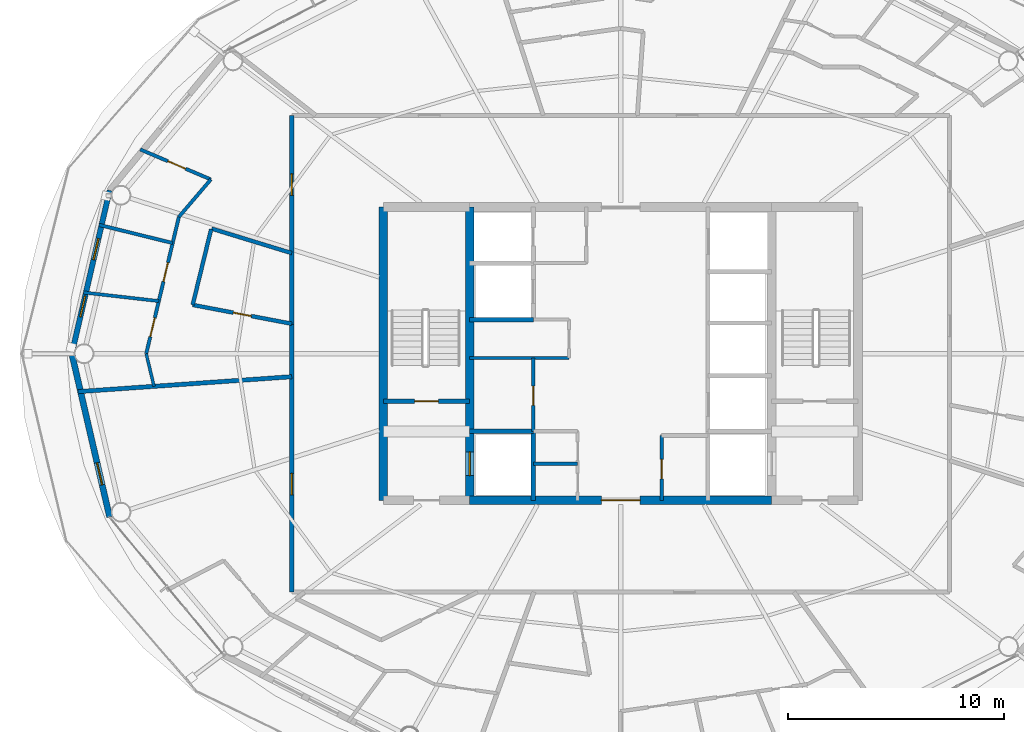
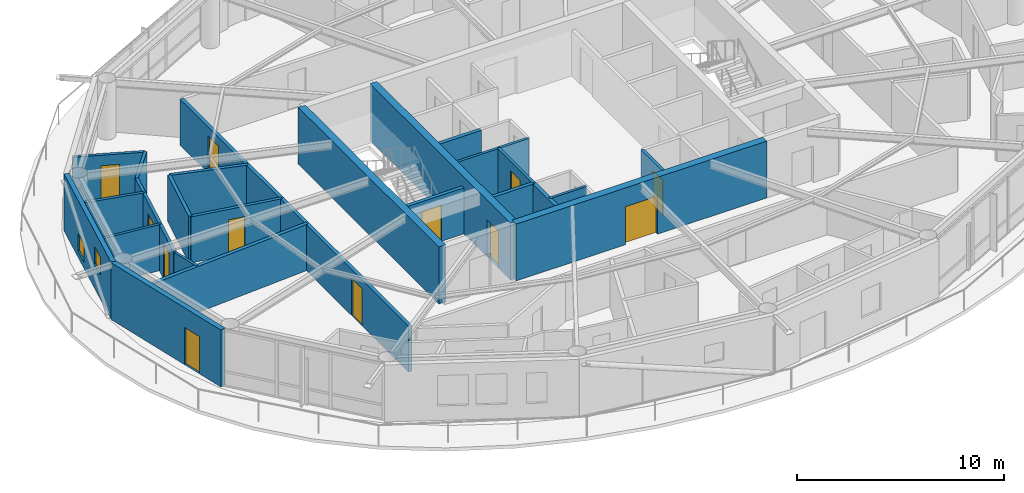
# One storey, part 16 of 23: 25 walls, 12 doors, 2 windows, 14 openings.
"""IFC4 building model written with IfcOpenShell, lengths in metres."""

from ifc_helpers import new_model, si_unit, direction, frame, frame_2d, origin, place, context, subcontext, project, spatial, rectangle, extrude, material, layer, layer_set, type_object, element, fill, save


model = new_model("IFC4")

# Units and contexts
model_context = context("Model", 3, precision=1e-05, world=origin(), true_north=direction((0.0, 1.0)))
body_context = subcontext(model_context, "Body", "Model", "MODEL_VIEW")
ifc_project = project(units=[si_unit("LENGTHUNIT", "METRE"), si_unit("AREAUNIT", "SQUARE_METRE"), si_unit("VOLUMEUNIT", "CUBIC_METRE"), si_unit("PLANEANGLEUNIT", "RADIAN"), si_unit("MASSUNIT", "GRAM", prefix="KILO")], contexts=[model_context])

# Site, building, storey
site_placement = place(None, origin())
site = spatial("IfcSite", under=ifc_project, at=site_placement, CompositionType="ELEMENT")
building_placement = place(site_placement, origin())
building = spatial("IfcBuilding", under=site, at=building_placement, Name="Sarneth Arch Tower", CompositionType="ELEMENT")
storey_placement = place(building_placement, frame((0.0, 0.0, 224.39990234375)))
storey = spatial("IfcBuildingStorey", under=building, at=storey_placement, Name="L57", CompositionType="ELEMENT", Elevation=224.39990234375)

# Wall, opening, door
ifc_material_1 = material(Name="Concrete C50/60", Category="concrete")
ifc_layer_1 = layer(ifc_material_1, 0.39990234375)
ifc_layer_set_1 = layer_set([ifc_layer_1], Name="Concrete C50/60")
wall_type_1 = type_object("IfcWallType", Name="WALL-CORE-400", PredefinedType="SHEAR", material=ifc_layer_set_1)
wall_1_placement = place(storey_placement, frame((41.0, 35.199951171875, 0.0), z_axis=(0.0, 0.0, 1.0), x_axis=(1.0, 0.0, 0.0)))
wall_1 = element("IfcWall", 1, at=wall_1_placement, inside=storey, type_object=wall_type_1, Name="L57 Core shear wall S-M", PredefinedType="SHEAR", context=body_context, shape_type="SweptSolid", body=[
    extrude(rectangle(XDim=14.0, YDim=0.39990234375, at=frame_2d((7.0, 0.0))), origin(), (0.0, 0.0, 1.0), 3.360107421875),
])
opening_1_placement = place(wall_1_placement, frame((6.10009765625, 0.0, 0.0)))
opening_1 = element("IfcOpeningElement", 2, at=opening_1_placement, cuts=wall_1, Name="Opening FD-01", PredefinedType="OPENING", context=body_context, shape_type="SweptSolid", body=[
    extrude(rectangle(XDim=1.800048828125, YDim=2.25, at=frame_2d((0.89990234375, 1.125))), frame((0.0, 0.2099609375, 0.0), z_axis=(0.0, -1.0, 0.0), x_axis=(1.0, 0.0, 0.0)), (0.0, 0.0, 1.0), 0.419921875),
])
ifc_material_2 = material(Name="Galvanised Steel S275 fire door set", Category="steel")
door_type_1 = type_object("IfcDoorType", Name="DR-FD90-1800", OperationType="DOUBLE_DOOR_SINGLE_SWING", PredefinedType="DOOR", material=ifc_material_2)
door_1_placement = place(opening_1_placement, origin())
door_1 = element("IfcDoor", 3, at=door_1_placement, inside=storey, type_object=door_type_1, Name="L57 Central lift lobby south door", OperationType="DOUBLE_DOOR_SINGLE_SWING", OverallHeight=2.25, OverallWidth=1.800048828125, PredefinedType="DOOR", context=body_context, shape_type="SweptSolid", body=[
    extrude(rectangle(XDim=1.800048828125, YDim=2.25, at=frame_2d((0.89990234375, 1.125))), frame((0.0, 0.02490234375, 0.0), z_axis=(0.0, -1.0, 0.0), x_axis=(1.0, 0.0, 0.0)), (0.0, 0.0, 1.0), 0.050048828125),
])
fill(opening_1, door_1)

# Wall
wall_2_placement = place(storey_placement, frame((37.0, 35.199951171875, 0.0), z_axis=(0.0, 0.0, 1.0), x_axis=(0.0, 1.0, 0.0)))
element("IfcWall", 4, at=wall_2_placement, inside=storey, type_object=wall_type_1, Name="L57 Core shear wall W", PredefinedType="SHEAR", context=body_context, shape_type="SweptSolid", body=[
    extrude(rectangle(XDim=13.60009765625, YDim=0.39990234375, at=frame_2d((6.800048828125, 0.0))), origin(), (0.0, 0.0, 1.0), 3.360107421875),
])

# Wall, opening, door
wall_3_placement = place(storey_placement, frame((41.0, 35.199951171875, 0.0), z_axis=(0.0, 0.0, 1.0), x_axis=(0.0, 1.0, 0.0)))
wall_3 = element("IfcWall", 5, at=wall_3_placement, inside=storey, type_object=wall_type_1, Name="L57 Core shear wall WEB-W", PredefinedType="SHEAR", context=body_context, shape_type="SweptSolid", body=[
    extrude(rectangle(XDim=13.60009765625, YDim=0.39990234375, at=frame_2d((6.800048828125, 0.0))), origin(), (0.0, 0.0, 1.0), 3.360107421875),
])
opening_2_placement = place(wall_3_placement, frame((1.14990234375, 0.0, 0.0)))
opening_2 = element("IfcOpeningElement", 6, at=opening_2_placement, cuts=wall_3, Name="Opening LD-1", PredefinedType="OPENING", context=body_context, shape_type="SweptSolid", body=[
    extrude(rectangle(XDim=1.10009765625, YDim=2.199951171875, at=frame_2d((0.550048828125, 1.10009765625))), frame((0.0, 0.2099609375, 0.0), z_axis=(0.0, -1.0, 0.0), x_axis=(1.0, 0.0, 0.0)), (0.0, 0.0, 1.0), 0.419921875),
])
ifc_material_3 = material(Name="Brushed Stainless Steel 304 lift landing door", Category="steel")
door_type_2 = type_object("IfcDoorType", Name="DR-LIFT-SLIDE-1100", OperationType="SLIDING_TO_LEFT", PredefinedType="DOOR", material=ifc_material_3)
door_2_placement = place(opening_2_placement, origin())
door_2 = element("IfcDoor", 7, at=door_2_placement, inside=storey, type_object=door_type_2, Name="L57 Firefighting lift landing door FL-1", OperationType="SLIDING_TO_LEFT", OverallHeight=2.199951171875, OverallWidth=1.10009765625, PredefinedType="DOOR", context=body_context, shape_type="SweptSolid", body=[
    extrude(rectangle(XDim=1.10009765625, YDim=2.199951171875, at=frame_2d((0.550048828125, 1.10009765625))), frame((0.0, 0.02490234375, 0.0), z_axis=(0.0, -1.0, 0.0), x_axis=(1.0, 0.0, 0.0)), (0.0, 0.0, 1.0), 0.050048828125),
])
fill(opening_2, door_2)

ifc_material_4 = material(Name="Double steel-stud corridor fire wall", Category="steel")
ifc_layer_2 = layer(ifc_material_4, 0.18994140625)
ifc_layer_set_2 = layer_set([ifc_layer_2], Name="Double steel-stud corridor fire wall")
wall_type_2 = type_object("IfcWallType", Name="WALL-CORR-190", PredefinedType="PARTITIONING", material=ifc_layer_set_2)
wall_4_placement = place(storey_placement, frame((32.75, 30.949951171875, 0.0), z_axis=(0.0, 0.0, 1.0), x_axis=(0.0, 1.0, 0.0)))
wall_4 = element("IfcWall", 8, at=wall_4_placement, inside=storey, type_object=wall_type_2, Name="L57 Interior partition W-L57-TP-012", PredefinedType="PARTITIONING", context=body_context, shape_type="SweptSolid", body=[
    extrude(rectangle(XDim=12.47119140625, YDim=0.18994140625, at=frame_2d((6.235595703125, 0.0))), origin(), (0.0, 0.0, 1.0), 2.72021484375),
])
opening_3_placement = place(wall_4_placement, frame((4.5078125, 0.0, 0.0)))
opening_3 = element("IfcOpeningElement", 9, at=opening_3_placement, cuts=wall_4, Name="Opening FD-08", PredefinedType="OPENING", context=body_context, shape_type="SweptSolid", body=[
    extrude(rectangle(XDim=1.0, YDim=2.199951171875, at=frame_2d((0.5, 1.10009765625))), frame((0.0, 0.10498046875, 0.0), z_axis=(0.0, -1.0, 0.0), x_axis=(1.0, 0.0, 0.0)), (0.0, 0.0, 1.0), 0.2099609375),
])
ifc_material_5 = material(Name="Hardwood timber acoustic fire door", Category="wood")
door_type_3 = type_object("IfcDoorType", Name="DR-FD60-1000", OperationType="SINGLE_SWING_LEFT", PredefinedType="DOOR", material=ifc_material_5)
door_3_placement = place(opening_3_placement, origin())
door_3 = element("IfcDoor", 10, at=door_3_placement, inside=storey, type_object=door_type_3, Name="L57 Interior door DR-L57-U5-ENT", OperationType="SINGLE_SWING_LEFT", OverallHeight=2.199951171875, OverallWidth=1.0, PredefinedType="DOOR", context=body_context, shape_type="SweptSolid", body=[
    extrude(rectangle(XDim=1.0, YDim=2.199951171875, at=frame_2d((0.5, 1.10009765625))), frame((0.0, 0.02490234375, 0.0), z_axis=(0.0, -1.0, 0.0), x_axis=(1.0, 0.0, 0.0)), (0.0, 0.0, 1.0), 0.050048828125),
])
fill(opening_3, door_3)

wall_5_placement = place(storey_placement, frame((32.75, 43.35595703125, 0.0), z_axis=(0.0, 0.0, 1.0), x_axis=(0.0, 1.0, 0.0)))
wall_5 = element("IfcWall", 11, at=wall_5_placement, inside=storey, type_object=wall_type_2, Name="L57 Interior partition W-L57-TP-008", PredefinedType="PARTITIONING", context=body_context, shape_type="SweptSolid", body=[
    extrude(rectangle(XDim=9.694091796875, YDim=0.18994140625, at=frame_2d((4.84716796875, 0.0))), origin(), (0.0, 0.0, 1.0), 2.72021484375),
])
opening_4_placement = place(wall_5_placement, frame((5.9833984375, 0.0, 0.0)))
opening_4 = element("IfcOpeningElement", 12, at=opening_4_placement, cuts=wall_5, Name="Opening FD-08", PredefinedType="OPENING", context=body_context, shape_type="SweptSolid", body=[
    extrude(rectangle(XDim=1.0, YDim=2.199951171875, at=frame_2d((0.5, 1.10009765625))), frame((0.0, 0.10498046875, 0.0), z_axis=(0.0, -1.0, 0.0), x_axis=(1.0, 0.0, 0.0)), (0.0, 0.0, 1.0), 0.2099609375),
])
door_4_placement = place(opening_4_placement, origin())
door_4 = element("IfcDoor", 13, at=door_4_placement, inside=storey, type_object=door_type_3, Name="L57 Interior door DR-L57-U4-ENT", OperationType="SINGLE_SWING_LEFT", OverallHeight=2.199951171875, OverallWidth=1.0, PredefinedType="DOOR", context=body_context, shape_type="SweptSolid", body=[
    extrude(rectangle(XDim=1.0, YDim=2.199951171875, at=frame_2d((0.5, 1.10009765625))), frame((0.0, 0.02490234375, 0.0), z_axis=(0.0, -1.0, 0.0), x_axis=(1.0, 0.0, 0.0)), (0.0, 0.0, 1.0), 0.050048828125),
])
fill(opening_4, door_4)

# Wall, openings, windows
ifc_material_6 = material(Name="Extruded terracotta rainscreen on Concrete C40/50 backing", Category="masonry")
ifc_layer_3 = layer(ifc_material_6, 0.25)
ifc_layer_set_3 = layer_set([ifc_layer_3], Name="Extruded terracotta rainscreen on Concrete C40/50 backing")
wall_type_3 = type_object("IfcWallType", Name="WALL-EXT-SPAND-250", PredefinedType="SOLIDWALL", material=ifc_layer_set_3)
wall_6_placement = place(storey_placement, frame((24.30615234375, 49.569580078125, 0.0), z_axis=(0.0, 0.0, 1.0), x_axis=(-0.225635078214, -0.974211892495, 0.0)))
wall_6 = element("IfcWall", 14, at=wall_6_placement, inside=storey, type_object=wall_type_3, Name="L57 Terracotta perimeter wall 08", PredefinedType="SOLIDWALL", context=body_context, shape_type="SweptSolid", body=[
    extrude(rectangle(XDim=7.77001953125, YDim=0.25, at=frame_2d((3.885009765625, 0.0))), origin(), (0.0, 0.0, 1.0), 3.360107421875),
])
opening_5_placement = place(wall_6_placement, frame((2.290771484375, 0.0, 0.35009765625)))
opening_5 = element("IfcOpeningElement", 15, at=opening_5_placement, cuts=wall_6, Name="Opening W-14", PredefinedType="OPENING", context=body_context, shape_type="SweptSolid", body=[
    extrude(rectangle(XDim=1.0, YDim=1.050048828125, at=frame_2d((0.5, 0.52490234375))), frame((0.0, 0.135009765625, 0.0), z_axis=(0.0, -1.0, 0.0), x_axis=(1.0, 0.0, 0.0)), (0.0, 0.0, 1.0), 0.27001953125),
])
opening_6_placement = place(wall_6_placement, frame((5.02392578125, 0.0, 1.419921875)))
opening_6 = element("IfcOpeningElement", 16, at=opening_6_placement, cuts=wall_6, Name="Opening W-14", PredefinedType="OPENING", context=body_context, shape_type="SweptSolid", body=[
    extrude(rectangle(XDim=1.0, YDim=1.050048828125, at=frame_2d((0.5, 0.52490234375))), frame((0.0, 0.135009765625, 0.0), z_axis=(0.0, -1.0, 0.0), x_axis=(1.0, 0.0, 0.0)), (0.0, 0.0, 1.0), 0.27001953125),
])
ifc_material_7 = material(Name="Thermally broken Aluminium 6063-T6 and low-e laminated IGU", Category="aluminium")
window_type = type_object("IfcWindowType", Name="WIN-TWR-1000x1050", PartitioningType="SINGLE_PANEL", PredefinedType="WINDOW", material=ifc_material_7)
window_1_placement = place(opening_5_placement, origin())
window_1 = element("IfcWindow", 17, at=window_1_placement, inside=storey, type_object=window_type, Name="L57 Dwelling bedroom window 02", OverallHeight=1.050048828125, OverallWidth=1.0, PartitioningType="SINGLE_PANEL", PredefinedType="WINDOW", context=body_context, shape_type="SweptSolid", body=[
    extrude(rectangle(XDim=1.0, YDim=1.050048828125, at=frame_2d((0.5, 0.52490234375))), frame((0.0, 0.030029296875, 0.0), z_axis=(0.0, -1.0, 0.0), x_axis=(1.0, 0.0, 0.0)), (0.0, 0.0, 1.0), 0.06005859375),
])
fill(opening_5, window_1)
window_2_placement = place(opening_6_placement, origin())
window_2 = element("IfcWindow", 18, at=window_2_placement, inside=storey, type_object=window_type, Name="L57 Dwelling bedroom window 03", OverallHeight=1.050048828125, OverallWidth=1.0, PartitioningType="SINGLE_PANEL", PredefinedType="WINDOW", context=body_context, shape_type="SweptSolid", body=[
    extrude(rectangle(XDim=1.0, YDim=1.050048828125, at=frame_2d((0.5, 0.52490234375))), frame((0.0, 0.030029296875, 0.0), z_axis=(0.0, -1.0, 0.0), x_axis=(1.0, 0.0, 0.0)), (0.0, 0.0, 1.0), 0.06005859375),
])
fill(opening_6, window_2)

# Wall, opening, door
ifc_material_8 = material(Name="Extruded terracotta rainscreen on Concrete C40/50 backing", Category="masonry")
ifc_layer_4 = layer(ifc_material_8, 0.280029296875)
ifc_layer_set_4 = layer_set([ifc_layer_4], Name="Extruded terracotta rainscreen on Concrete C40/50 backing")
wall_type_4 = type_object("IfcWallType", Name="WALL-EXT-TERRA-280", PredefinedType="SOLIDWALL", material=ifc_layer_set_4)
wall_7_placement = place(storey_placement, frame((22.552978515625, 42.0, 0.0), z_axis=(0.0, 0.0, 1.0), x_axis=(0.225635078214, -0.974211892495, 0.0)))
wall_7 = element("IfcWall", 19, at=wall_7_placement, inside=storey, type_object=wall_type_4, Name="L57 Terracotta perimeter wall 09", PredefinedType="SOLIDWALL", context=body_context, shape_type="SweptSolid", body=[
    extrude(rectangle(XDim=7.77001953125, YDim=0.280029296875, at=frame_2d((3.885009765625, 0.0))), origin(), (0.0, 0.0, 1.0), 3.360107421875),
])
opening_7_placement = place(wall_7_placement, frame((5.192138671875, 0.0, 0.0)))
opening_7 = element("IfcOpeningElement", 20, at=opening_7_placement, cuts=wall_7, Name="Opening BD-4", PredefinedType="OPENING", context=body_context, shape_type="SweptSolid", body=[
    extrude(rectangle(XDim=1.050048828125, YDim=2.199951171875, at=frame_2d((0.52490234375, 1.10009765625))), frame((0.0, 0.14990234375, 0.0), z_axis=(0.0, -1.0, 0.0), x_axis=(1.0, 0.0, 0.0)), (0.0, 0.0, 1.0), 0.300048828125),
])
ifc_material_9 = material(Name="Thermally broken Aluminium 6063-T6 and laminated safety glass", Category="aluminium")
door_type_4 = type_object("IfcDoorType", Name="DR-BALC-GLZ-1050", OperationType="SINGLE_SWING_RIGHT", PredefinedType="DOOR", material=ifc_material_9)
door_5_placement = place(opening_7_placement, origin())
door_5 = element("IfcDoor", 21, at=door_5_placement, inside=storey, type_object=door_type_4, Name="L57 Balcony glazed door 09", OperationType="SINGLE_SWING_RIGHT", OverallHeight=2.199951171875, OverallWidth=1.050048828125, PredefinedType="DOOR", context=body_context, shape_type="SweptSolid", body=[
    extrude(rectangle(XDim=1.050048828125, YDim=2.199951171875, at=frame_2d((0.52490234375, 1.10009765625))), frame((0.0, 0.02490234375, 0.0), z_axis=(0.0, -1.0, 0.0), x_axis=(1.0, 0.0, 0.0)), (0.0, 0.0, 1.0), 0.050048828125),
])
fill(opening_7, door_5)

# Wall
ifc_material_10 = material(Name="Apartment internal stud partition", Category="gypsum")
ifc_layer_5 = layer(ifc_material_10, 0.139892578125)
ifc_layer_set_5 = layer_set([ifc_layer_5], Name="Apartment internal stud partition")
wall_type_5 = type_object("IfcWallType", Name="WALL-PART-140", PredefinedType="PARTITIONING", material=ifc_layer_set_5)
wall_8_placement = place(storey_placement, frame((26.003662109375, 42.0, 0.0), z_axis=(0.0, 0.0, 1.0), x_axis=(0.232292411737, -0.972645996984, 0.0)))
element("IfcWall", 22, at=wall_8_placement, inside=storey, type_object=wall_type_5, Name="L57 Interior partition W-L57-TP-061", PredefinedType="PARTITIONING", context=body_context, shape_type="SweptSolid", body=[
    extrude(rectangle(XDim=1.555419921875, YDim=0.139892578125, at=frame_2d((0.77783203125, 0.0))), origin(), (0.0, 0.0, 1.0), 2.72021484375),
])

# Wall, opening, door
ifc_material_11 = material(Name="Acoustic gypsum stud partition", Category="gypsum")
ifc_layer_6 = layer(ifc_material_11, 0.14990234375)
ifc_layer_set_6 = layer_set([ifc_layer_6], Name="Acoustic gypsum stud partition")
wall_type_6 = type_object("IfcWallType", Name="WALL-PART-150", PredefinedType="PARTITIONING", material=ifc_layer_set_6)
wall_9_placement = place(storey_placement, frame((43.949951171875, 38.39990234375, 0.0), z_axis=(0.0, 0.0, 1.0), x_axis=(0.0, 1.0, 0.0)))
wall_9 = element("IfcWall", 23, at=wall_9_placement, inside=storey, type_object=wall_type_6, Name="L57 Interior partition W-L57-RECPL-E1", PredefinedType="PARTITIONING", context=body_context, shape_type="SweptSolid", body=[
    extrude(rectangle(XDim=3.400146484375, YDim=0.14990234375, at=frame_2d((1.7001953125, 0.0))), origin(), (0.0, 0.0, 1.0), 2.72021484375),
])
opening_8_placement = place(wall_9_placement, frame((1.199951171875, 0.0, 0.0)))
opening_8 = element("IfcOpeningElement", 24, at=opening_8_placement, cuts=wall_9, Name="Opening FD-10", PredefinedType="OPENING", context=body_context, shape_type="SweptSolid", body=[
    extrude(rectangle(XDim=0.89990234375, YDim=2.14990234375, at=frame_2d((0.449951171875, 1.074951171875))), frame((0.0, 0.0849609375, 0.0), z_axis=(0.0, -1.0, 0.0), x_axis=(1.0, 0.0, 0.0)), (0.0, 0.0, 1.0), 0.169921875),
])
ifc_material_12 = material(Name="Galvanised Steel S275 riser/service fire door", Category="steel")
door_type_5 = type_object("IfcDoorType", Name="DR-FD60-900", OperationType="SINGLE_SWING_LEFT", PredefinedType="DOOR", material=ifc_material_12)
door_6_placement = place(opening_8_placement, origin())
door_6 = element("IfcDoor", 25, at=door_6_placement, inside=storey, type_object=door_type_5, Name="L57 Interior door DR-L57-RECPL1", OperationType="SINGLE_SWING_LEFT", OverallHeight=2.14990234375, OverallWidth=0.89990234375, PredefinedType="DOOR", context=body_context, shape_type="SweptSolid", body=[
    extrude(rectangle(XDim=0.89990234375, YDim=2.14990234375, at=frame_2d((0.449951171875, 1.074951171875))), frame((0.0, 0.02490234375, 0.0), z_axis=(0.0, -1.0, 0.0), x_axis=(1.0, 0.0, 0.0)), (0.0, 0.0, 1.0), 0.050048828125),
])
fill(opening_8, door_6)

# Walls
wall_10_placement = place(storey_placement, frame((41.0, 41.800048828125, 0.0), z_axis=(0.0, 0.0, 1.0), x_axis=(1.0, 0.0, 0.0)))
element("IfcWall", 26, at=wall_10_placement, inside=storey, type_object=wall_type_6, Name="L57 Interior partition W-L57-RECPL-S2", PredefinedType="PARTITIONING", context=body_context, shape_type="SweptSolid", body=[
    extrude(rectangle(XDim=4.60009765625, YDim=0.14990234375, at=frame_2d((2.300048828125, 0.0))), origin(), (0.0, 0.0, 1.0), 2.72021484375),
])
wall_11_placement = place(storey_placement, frame((43.949951171875, 36.89990234375, 0.0), z_axis=(0.0, 0.0, 1.0), x_axis=(1.0, 0.0, 0.0)))
element("IfcWall", 27, at=wall_11_placement, inside=storey, type_object=wall_type_6, Name="L57 Interior partition W-L57-CSUP-M", PredefinedType="PARTITIONING", context=body_context, shape_type="SweptSolid", body=[
    extrude(rectangle(XDim=2.050048828125, YDim=0.14990234375, at=frame_2d((1.02490234375, 0.0))), origin(), (0.0, 0.0, 1.0), 2.72021484375),
])
wall_12_placement = place(storey_placement, frame((23.088134765625, 44.83837890625, 0.0), z_axis=(0.0, 0.0, 1.0), x_axis=(0.99356860566, -0.113231735156, 0.0)))
element("IfcWall", 28, at=wall_12_placement, inside=storey, type_object=wall_type_6, Name="L57 Interior partition W-L57-TP-064", PredefinedType="PARTITIONING", context=body_context, shape_type="SweptSolid", body=[
    extrude(rectangle(XDim=3.52099609375, YDim=0.14990234375, at=frame_2d((1.760498046875, 0.0))), origin(), (0.0, 0.0, 1.0), 2.72021484375),
])

# Wall, opening, door
ifc_material_13 = material(Name="Kitchen wet service chase wall", Category="gypsum")
ifc_layer_7 = layer(ifc_material_13, 0.159912109375)
ifc_layer_set_7 = layer_set([ifc_layer_7], Name="Kitchen wet service chase wall")
wall_type_7 = type_object("IfcWallType", Name="WALL-PLUMB-160", PredefinedType="PLUMBINGWALL", material=ifc_layer_set_7)
wall_13_placement = place(storey_placement, frame((25.728515625, 51.46826171875, 0.0), z_axis=(0.0, 0.0, 1.0), x_axis=(0.920292576495, -0.39123084445, 0.0)))
wall_13 = element("IfcWall", 29, at=wall_13_placement, inside=storey, type_object=wall_type_7, Name="L57 Interior partition W-L57-TP-053", PredefinedType="PLUMBINGWALL", context=body_context, shape_type="SweptSolid", body=[
    extrude(rectangle(XDim=3.55322265625, YDim=0.159912109375, at=frame_2d((1.776611328125, 0.0))), origin(), (0.0, 0.0, 1.0), 2.72021484375),
])
opening_9_placement = place(wall_13_placement, frame((1.38671875, 0.0, 0.0)))
opening_9 = element("IfcOpeningElement", 30, at=opening_9_placement, cuts=wall_13, Name="Opening ID-01", PredefinedType="OPENING", context=body_context, shape_type="SweptSolid", body=[
    extrude(rectangle(XDim=0.89990234375, YDim=2.10009765625, at=frame_2d((0.449951171875, 1.050048828125))), frame((0.0, 0.08984375, 0.0), z_axis=(0.0, -1.0, 0.0), x_axis=(1.0, 0.0, 0.0)), (0.0, 0.0, 1.0), 0.179931640625),
])
ifc_material_14 = material(Name="Engineered hardwood flush door", Category="wood")
door_type_6 = type_object("IfcDoorType", Name="DR-INT-900", OperationType="SINGLE_SWING_LEFT", PredefinedType="DOOR", material=ifc_material_14)
door_7_placement = place(opening_9_placement, origin())
door_7 = element("IfcDoor", 31, at=door_7_placement, inside=storey, type_object=door_type_6, Name="L57 Interior door DR-L57-U4-KIT", OperationType="SINGLE_SWING_LEFT", OverallHeight=2.10009765625, OverallWidth=0.89990234375, PredefinedType="DOOR", context=body_context, shape_type="SweptSolid", body=[
    extrude(rectangle(XDim=0.89990234375, YDim=2.10009765625, at=frame_2d((0.449951171875, 1.050048828125))), frame((0.0, 0.02490234375, 0.0), z_axis=(0.0, -1.0, 0.0), x_axis=(1.0, 0.0, 0.0)), (0.0, 0.0, 1.0), 0.050048828125),
])
fill(opening_9, door_7)

# Wall
wall_14_placement = place(storey_placement, frame((27.22900390625, 47.129638671875, 0.0), z_axis=(0.0, 0.0, 1.0), x_axis=(-0.970832476512, 0.239758842484, 0.0)))
element("IfcWall", 32, at=wall_14_placement, inside=storey, type_object=wall_type_7, Name="L57 Interior partition W-L57-TP-063", PredefinedType="PLUMBINGWALL", context=body_context, shape_type="SweptSolid", body=[
    extrude(rectangle(XDim=3.51806640625, YDim=0.159912109375, at=frame_2d((1.759033203125, 0.0))), origin(), (0.0, 0.0, 1.0), 2.72021484375),
])

# Wall, openings, doors
wall_15_placement = place(storey_placement, frame((26.003662109375, 42.0, 0.0), z_axis=(0.0, 0.0, 1.0), x_axis=(0.232298462197, 0.972644551962, 0.0)))
wall_15 = element("IfcWall", 33, at=wall_15_placement, inside=storey, type_object=wall_type_7, Name="L57 Interior partition W-L57-TP-059", PredefinedType="PLUMBINGWALL", context=body_context, shape_type="SweptSolid", body=[
    extrude(rectangle(XDim=6.5234375, YDim=0.159912109375, at=frame_2d((3.26171875, 0.0))), origin(), (0.0, 0.0, 1.0), 2.72021484375),
])
opening_10_placement = place(wall_15_placement, frame((3.441162109375, 0.0, 0.0)))
opening_10 = element("IfcOpeningElement", 34, at=opening_10_placement, cuts=wall_15, Name="Opening ID-01", PredefinedType="OPENING", context=body_context, shape_type="SweptSolid", body=[
    extrude(rectangle(XDim=0.89990234375, YDim=2.10009765625, at=frame_2d((0.449951171875, 1.050048828125))), frame((0.0, 0.08984375, 0.0), z_axis=(0.0, -1.0, 0.0), x_axis=(1.0, 0.0, 0.0)), (0.0, 0.0, 1.0), 0.179931640625),
])
opening_11_placement = place(wall_15_placement, frame((0.80419921875, 0.0, 0.0)))
opening_11 = element("IfcOpeningElement", 35, at=opening_11_placement, cuts=wall_15, Name="Opening ID-01", PredefinedType="OPENING", context=body_context, shape_type="SweptSolid", body=[
    extrude(rectangle(XDim=0.89990234375, YDim=2.10009765625, at=frame_2d((0.449951171875, 1.050048828125))), frame((0.0, 0.08984375, 0.0), z_axis=(0.0, -1.0, 0.0), x_axis=(1.0, 0.0, 0.0)), (0.0, 0.0, 1.0), 0.179931640625),
])
door_8_placement = place(opening_10_placement, origin())
door_8 = element("IfcDoor", 36, at=door_8_placement, inside=storey, type_object=door_type_6, Name="L57 Interior door DR-L57-U4-BED1", OperationType="SINGLE_SWING_LEFT", OverallHeight=2.10009765625, OverallWidth=0.89990234375, PredefinedType="DOOR", context=body_context, shape_type="SweptSolid", body=[
    extrude(rectangle(XDim=0.89990234375, YDim=2.10009765625, at=frame_2d((0.449951171875, 1.050048828125))), frame((0.0, 0.02490234375, 0.0), z_axis=(0.0, -1.0, 0.0), x_axis=(1.0, 0.0, 0.0)), (0.0, 0.0, 1.0), 0.050048828125),
])
fill(opening_10, door_8)
door_9_placement = place(opening_11_placement, origin())
door_9 = element("IfcDoor", 37, at=door_9_placement, inside=storey, type_object=door_type_6, Name="L57 Interior door DR-L57-U4-BED2", OperationType="SINGLE_SWING_RIGHT", OverallHeight=2.10009765625, OverallWidth=0.89990234375, PredefinedType="DOOR", context=body_context, shape_type="SweptSolid", body=[
    extrude(rectangle(XDim=0.89990234375, YDim=2.10009765625, at=frame_2d((0.449951171875, 1.050048828125))), frame((0.0, 0.02490234375, 0.0), z_axis=(0.0, -1.0, 0.0), x_axis=(1.0, 0.0, 0.0)), (0.0, 0.0, 1.0), 0.050048828125),
])
fill(opening_11, door_9)

# Wall
wall_16_placement = place(storey_placement, frame((28.99853515625, 50.078125, 0.0), z_axis=(0.0, 0.0, 1.0), x_axis=(-0.649254822002, -0.760570954025, 0.0)))
element("IfcWall", 38, at=wall_16_placement, inside=storey, type_object=wall_type_7, Name="L57 Interior partition W-L57-TP-054", PredefinedType="PLUMBINGWALL", context=body_context, shape_type="SweptSolid", body=[
    extrude(rectangle(XDim=2.27880859375, YDim=0.159912109375, at=frame_2d((1.139404296875, 0.0))), origin(), (0.0, 0.0, 1.0), 2.72021484375),
])

# Wall, opening, door
ifc_material_15 = material(Name="Moisture-resistant plumbing chase wall", Category="gypsum")
ifc_layer_8 = layer(ifc_material_15, 0.179931640625)
ifc_layer_set_8 = layer_set([ifc_layer_8], Name="Moisture-resistant plumbing chase wall")
wall_type_8 = type_object("IfcWallType", Name="WALL-PLUMB-180", PredefinedType="PLUMBINGWALL", material=ifc_layer_set_8)
wall_17_placement = place(storey_placement, frame((49.89990234375, 35.199951171875, 0.0), z_axis=(0.0, 0.0, 1.0), x_axis=(0.0, 1.0, 0.0)))
wall_17 = element("IfcWall", 39, at=wall_17_placement, inside=storey, type_object=wall_type_8, Name="L57 Interior partition W-L57-AWC-W", PredefinedType="PLUMBINGWALL", context=body_context, shape_type="SweptSolid", body=[
    extrude(rectangle(XDim=3.0, YDim=0.179931640625, at=frame_2d((1.5, 0.0))), origin(), (0.0, 0.0, 1.0), 2.72021484375),
])
opening_12_placement = place(wall_17_placement, frame((1.0, 0.0, 0.0)))
opening_12 = element("IfcOpeningElement", 40, at=opening_12_placement, cuts=wall_17, Name="Opening ID-01", PredefinedType="OPENING", context=body_context, shape_type="SweptSolid", body=[
    extrude(rectangle(XDim=0.89990234375, YDim=2.10009765625, at=frame_2d((0.449951171875, 1.050048828125))), frame((0.0, 0.099853515625, 0.0), z_axis=(0.0, -1.0, 0.0), x_axis=(1.0, 0.0, 0.0)), (0.0, 0.0, 1.0), 0.199951171875),
])
door_10_placement = place(opening_12_placement, origin())
door_10 = element("IfcDoor", 41, at=door_10_placement, inside=storey, type_object=door_type_6, Name="L57 Interior door DR-L57-AWC", OperationType="SINGLE_SWING_RIGHT", OverallHeight=2.10009765625, OverallWidth=0.89990234375, PredefinedType="DOOR", context=body_context, shape_type="SweptSolid", body=[
    extrude(rectangle(XDim=0.89990234375, YDim=2.10009765625, at=frame_2d((0.449951171875, 1.050048828125))), frame((0.0, 0.02490234375, 0.0), z_axis=(0.0, -1.0, 0.0), x_axis=(1.0, 0.0, 0.0)), (0.0, 0.0, 1.0), 0.050048828125),
])
fill(opening_12, door_10)

wall_18_placement = place(storey_placement, frame((32.75, 43.388671875, 0.0), z_axis=(0.0, 0.0, 1.0), x_axis=(-0.982412093784, 0.186725675755, 0.0)))
wall_18 = element("IfcWall", 42, at=wall_18_placement, inside=storey, type_object=wall_type_8, Name="L57 Interior partition W-L57-TP-056", PredefinedType="PLUMBINGWALL", context=body_context, shape_type="SweptSolid", body=[
    extrude(rectangle(XDim=4.67431640625, YDim=0.179931640625, at=frame_2d((2.337158203125, 0.0))), origin(), (0.0, 0.0, 1.0), 2.72021484375),
])
opening_13_placement = place(wall_18_placement, frame((1.912109375, 0.0, 0.0)))
opening_13 = element("IfcOpeningElement", 43, at=opening_13_placement, cuts=wall_18, Name="Opening ID-02", PredefinedType="OPENING", context=body_context, shape_type="SweptSolid", body=[
    extrude(rectangle(XDim=0.85009765625, YDim=2.10009765625, at=frame_2d((0.425048828125, 1.050048828125))), frame((0.0, 0.099853515625, 0.0), z_axis=(0.0, -1.0, 0.0), x_axis=(1.0, 0.0, 0.0)), (0.0, 0.0, 1.0), 0.199951171875),
])
ifc_material_16 = material(Name="Moisture-resistant bathroom timber door", Category="wood")
door_type_7 = type_object("IfcDoorType", Name="DR-INT-850", OperationType="SINGLE_SWING_RIGHT", PredefinedType="DOOR", material=ifc_material_16)
door_11_placement = place(opening_13_placement, origin())
door_11 = element("IfcDoor", 44, at=door_11_placement, inside=storey, type_object=door_type_7, Name="L57 Interior door DR-L57-U4-BATH", OperationType="SINGLE_SWING_RIGHT", OverallHeight=2.10009765625, OverallWidth=0.85009765625, PredefinedType="DOOR", context=body_context, shape_type="SweptSolid", body=[
    extrude(rectangle(XDim=0.85009765625, YDim=2.10009765625, at=frame_2d((0.425048828125, 1.050048828125))), frame((0.0, 0.02490234375, 0.0), z_axis=(0.0, -1.0, 0.0), x_axis=(1.0, 0.0, 0.0)), (0.0, 0.0, 1.0), 0.050048828125),
])
fill(opening_13, door_11)

# Walls
wall_19_placement = place(storey_placement, frame((29.035888671875, 47.7978515625, 0.0), z_axis=(0.0, 0.0, 1.0), x_axis=(0.956306177074, -0.292367056437, 0.0)))
element("IfcWall", 45, at=wall_19_placement, inside=storey, type_object=wall_type_8, Name="L57 Interior partition W-L57-TP-058", PredefinedType="PLUMBINGWALL", context=body_context, shape_type="SweptSolid", body=[
    extrude(rectangle(XDim=3.8837890625, YDim=0.179931640625, at=frame_2d((1.94189453125, 0.0))), origin(), (0.0, 0.0, 1.0), 2.72021484375),
])
wall_20_placement = place(storey_placement, frame((28.157958984375, 44.261474609375, 0.0), z_axis=(0.0, 0.0, 1.0), x_axis=(0.236567164095, 0.971615138248, 0.0)))
element("IfcWall", 46, at=wall_20_placement, inside=storey, type_object=wall_type_8, Name="L57 Interior partition W-L57-TP-057", PredefinedType="PLUMBINGWALL", context=body_context, shape_type="SweptSolid", body=[
    extrude(rectangle(XDim=3.612060546875, YDim=0.179931640625, at=frame_2d((1.80615234375, 0.0))), origin(), (0.0, 0.0, 1.0), 2.72021484375),
])

# Wall, opening, door
ifc_material_17 = material(Name="Aerated concrete blockwork C25/30", Category="masonry")
ifc_layer_9 = layer(ifc_material_17, 0.199951171875)
ifc_layer_set_9 = layer_set([ifc_layer_9], Name="Aerated concrete blockwork C25/30")
wall_type_9 = type_object("IfcWallType", Name="WALL-SHAFT-200", PredefinedType="SOLIDWALL", material=ifc_layer_set_9)
wall_21_placement = place(storey_placement, frame((37.0, 39.800048828125, 0.0), z_axis=(0.0, 0.0, 1.0), x_axis=(1.0, 0.0, 0.0)))
wall_21 = element("IfcWall", 47, at=wall_21_placement, inside=storey, type_object=wall_type_9, Name="L57 Interior partition W-L57-ST1-S", PredefinedType="SOLIDWALL", context=body_context, shape_type="SweptSolid", body=[
    extrude(rectangle(XDim=4.0, YDim=0.199951171875, at=frame_2d((2.0, 0.0))), origin(), (0.0, 0.0, 1.0), 2.72021484375),
])
opening_14_placement = place(wall_21_placement, frame((1.449951171875, 0.0, 0.0)))
opening_14 = element("IfcOpeningElement", 48, at=opening_14_placement, cuts=wall_21, Name="Opening FD-03", PredefinedType="OPENING", context=body_context, shape_type="SweptSolid", body=[
    extrude(rectangle(XDim=1.10009765625, YDim=2.14990234375, at=frame_2d((0.550048828125, 1.074951171875))), frame((0.0, 0.10986328125, 0.0), z_axis=(0.0, -1.0, 0.0), x_axis=(1.0, 0.0, 0.0)), (0.0, 0.0, 1.0), 0.219970703125),
])
ifc_material_18 = material(Name="Galvanised Steel S275 fire door set", Category="steel")
door_type_8 = type_object("IfcDoorType", Name="DR-FD90-1100", OperationType="SINGLE_SWING_LEFT", PredefinedType="DOOR", material=ifc_material_18)
door_12_placement = place(opening_14_placement, origin())
door_12 = element("IfcDoor", 49, at=door_12_placement, inside=storey, type_object=door_type_8, Name="L57 Interior door DR-L57-ST1", OperationType="SINGLE_SWING_LEFT", OverallHeight=2.14990234375, OverallWidth=1.10009765625, PredefinedType="DOOR", context=body_context, shape_type="SweptSolid", body=[
    extrude(rectangle(XDim=1.10009765625, YDim=2.14990234375, at=frame_2d((0.550048828125, 1.074951171875))), frame((0.0, 0.02490234375, 0.0), z_axis=(0.0, -1.0, 0.0), x_axis=(1.0, 0.0, 0.0)), (0.0, 0.0, 1.0), 0.050048828125),
])
fill(opening_14, door_12)

# Walls
wall_22_placement = place(storey_placement, frame((43.949951171875, 35.199951171875, 0.0), z_axis=(0.0, 0.0, 1.0), x_axis=(0.0, 1.0, 0.0)))
element("IfcWall", 50, at=wall_22_placement, inside=storey, type_object=wall_type_9, Name="L57 Interior partition W-L57-FL1-E", PredefinedType="SOLIDWALL", context=body_context, shape_type="SweptSolid", body=[
    extrude(rectangle(XDim=3.199951171875, YDim=0.199951171875, at=frame_2d((1.60009765625, 0.0))), origin(), (0.0, 0.0, 1.0), 2.72021484375),
])
for number, where, z_axis, x_axis, name in (
    (51, (41.0, 38.39990234375, 0.0), (0.0, 0.0, 1.0), (1.0, 0.0, 0.0), "L57 Interior partition W-L57-FL1-N"),
    (52, (41.0, 43.580078125, 0.0), (0.0, 0.0, 1.0), (1.0, 0.0, 0.0), "L57 Interior partition W-L57-PM1-S"),
):
    element("IfcWall", number, at=place(storey_placement, frame(where, z_axis=z_axis, x_axis=x_axis)), inside=storey, type_object=wall_type_9, Name=name, PredefinedType="SOLIDWALL", context=body_context, shape_type="SweptSolid", body=[
        extrude(rectangle(XDim=2.949951171875, YDim=0.199951171875, at=frame_2d((1.47509765625, 0.0))), origin(), (0.0, 0.0, 1.0), 2.72021484375),
    ])
ifc_material_19 = material(Name="Double steel-stud acoustic drywall", Category="steel")
ifc_layer_10 = layer(ifc_material_19, 0.199951171875)
ifc_layer_set_10 = layer_set([ifc_layer_10], Name="Double steel-stud acoustic drywall")
wall_type_10 = type_object("IfcWallType", Name="WALL-UNIT-200", PredefinedType="PARTITIONING", material=ifc_layer_set_10)
wall_23_placement = place(storey_placement, frame((32.75, 40.93359375, 0.0), z_axis=(0.0, 0.0, 1.0), x_axis=(-0.997563620801, -0.069762615023, 0.0)))
element("IfcWall", 53, at=wall_23_placement, inside=storey, type_object=wall_type_10, Name="L57 Interior partition W-L57-TP-062", PredefinedType="PARTITIONING", context=body_context, shape_type="SweptSolid", body=[
    extrude(rectangle(XDim=9.935302734375, YDim=0.199951171875, at=frame_2d((4.9677734375, 0.0))), origin(), (0.0, 0.0, 1.0), 2.72021484375),
])

save(model, "model.ifc")
